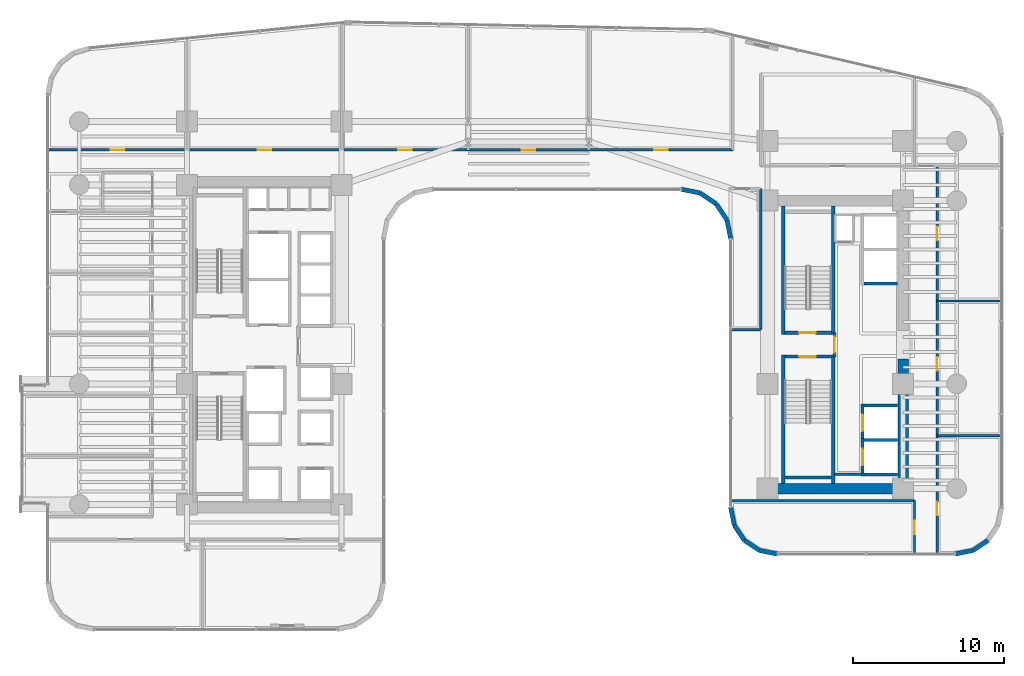
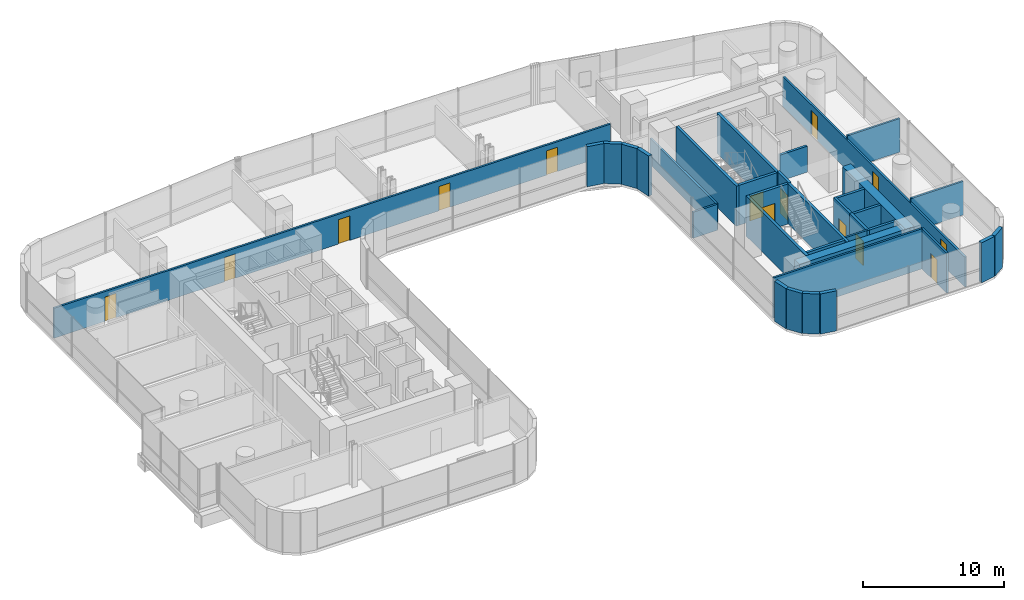
# One storey, part 32 of 39: 35 walls, 14 doors, 14 openings.
"""IFC4 building model written with IfcOpenShell, lengths in metres."""

from ifc_helpers import new_model, si_unit, direction, frame, frame_2d, origin, place, context, subcontext, project, spatial, rectangle, extrude, material, layer, layer_set, type_object, element, fill, save


model = new_model("IFC4")

# Units and contexts
model_context = context("Model", 3, precision=1e-05, world=origin(), true_north=direction((0.0, 1.0)))
body_context = subcontext(model_context, "Body", "Model", "MODEL_VIEW")
ifc_project = project(units=[si_unit("LENGTHUNIT", "METRE"), si_unit("AREAUNIT", "SQUARE_METRE"), si_unit("VOLUMEUNIT", "CUBIC_METRE"), si_unit("PLANEANGLEUNIT", "RADIAN"), si_unit("MASSUNIT", "GRAM", prefix="KILO")], contexts=[model_context])

# Site, building, storey
site_placement = place(None, origin())
site = spatial("IfcSite", under=ifc_project, at=site_placement, CompositionType="ELEMENT")
building_placement = place(site_placement, origin())
building = spatial("IfcBuilding", under=site, at=building_placement, Name="Valdorenza Pilgrim Sanctuary Tower", CompositionType="ELEMENT")
storey_placement = place(building_placement, frame((0.0, 0.0, 33.39990234375)))
storey = spatial("IfcBuildingStorey", under=building, at=storey_placement, Name="L07", CompositionType="ELEMENT", Elevation=33.39990234375)

# Wall
ifc_material_1 = material(Name="Acoustic twin-stud gypsum partition", Category="gypsum")
ifc_layer_1 = layer(ifc_material_1, 0.159912109375, Name="Acoustic twin-stud gypsum partition")
ifc_layer_set_1 = layer_set([ifc_layer_1], Name="Acoustic twin-stud gypsum partition")
wall_type_1 = type_object("IfcWallType", Name="WAL-COR-160", PredefinedType="PARTITIONING", material=ifc_layer_set_1)
wall_1_placement = place(storey_placement, frame((20.300048828125, -8.60009765625, 0.0), z_axis=(0.0, 0.0, 1.0), x_axis=(1.0, 0.0, 0.0)))
element("IfcWall", 1, at=wall_1_placement, inside=storey, type_object=wall_type_1, Name="L07 Core B Lift Hall South End Wall", PredefinedType="PARTITIONING", context=body_context, shape_type="SweptSolid", body=[
    extrude(rectangle(XDim=1.820068359375, YDim=0.159912109375, at=frame_2d((0.91015625, 0.0))), origin(), (0.0, 0.0, 1.0), 3.460205078125),
])

# Wall, openings, doors
wall_2_placement = place(storey_placement, frame((-31.889892578125, 12.919921875, 0.0), z_axis=(0.0, 0.0, 1.0), x_axis=(1.0, 0.0, 0.0)))
wall_2 = element("IfcWall", 2, at=wall_2_placement, inside=storey, type_object=wall_type_1, Name="L07 North Corridor Wall", PredefinedType="PARTITIONING", context=body_context, shape_type="SweptSolid", body=[
    extrude(rectangle(XDim=45.43994140625, YDim=0.159912109375, at=frame_2d((22.719970703125, 0.0))), origin(), (0.0, 0.0, 1.0), 2.5830078125),
])
opening_1_placement = place(wall_2_placement, frame((4.169921875, 0.0, 0.0)))
opening_1 = element("IfcOpeningElement", 3, at=opening_1_placement, cuts=wall_2, Name="Opening DR-RM1", PredefinedType="OPENING", context=body_context, shape_type="SweptSolid", body=[
    extrude(rectangle(XDim=0.89990234375, YDim=2.10009765625, at=frame_2d((0.449951171875, 1.050048828125))), frame((0.0, 0.0947265625, 0.0), z_axis=(0.0, -1.0, 0.0), x_axis=(1.0, 0.0, 0.0)), (0.0, 0.0, 1.0), 0.189697265625),
])
opening_2_placement = place(wall_2_placement, frame((13.9150390625, 0.0, 0.0)))
opening_2 = element("IfcOpeningElement", 4, at=opening_2_placement, cuts=wall_2, Name="Opening DR-RM1", PredefinedType="OPENING", context=body_context, shape_type="SweptSolid", body=[
    extrude(rectangle(XDim=0.89990234375, YDim=2.10009765625, at=frame_2d((0.449951171875, 1.050048828125))), frame((0.0, 0.0947265625, 0.0), z_axis=(0.0, -1.0, 0.0), x_axis=(1.0, 0.0, 0.0)), (0.0, 0.0, 1.0), 0.189697265625),
])
opening_3_placement = place(wall_2_placement, frame((23.239990234375, 0.0, 0.0)))
opening_3 = element("IfcOpeningElement", 5, at=opening_3_placement, cuts=wall_2, Name="Opening DR-RM1", PredefinedType="OPENING", context=body_context, shape_type="SweptSolid", body=[
    extrude(rectangle(XDim=0.89990234375, YDim=2.10009765625, at=frame_2d((0.449951171875, 1.050048828125))), frame((0.0, 0.0947265625, 0.0), z_axis=(0.0, -1.0, 0.0), x_axis=(1.0, 0.0, 0.0)), (0.0, 0.0, 1.0), 0.189697265625),
])
opening_4_placement = place(wall_2_placement, frame((31.43994140625, 0.0, 0.0)))
opening_4 = element("IfcOpeningElement", 6, at=opening_4_placement, cuts=wall_2, Name="Opening DR-RM1", PredefinedType="OPENING", context=body_context, shape_type="SweptSolid", body=[
    extrude(rectangle(XDim=0.89990234375, YDim=2.10009765625, at=frame_2d((0.449951171875, 1.050048828125))), frame((0.0, 0.0947265625, 0.0), z_axis=(0.0, -1.0, 0.0), x_axis=(1.0, 0.0, 0.0)), (0.0, 0.0, 1.0), 0.189697265625),
])
opening_5_placement = place(wall_2_placement, frame((40.215087890625, 0.0, 0.0)))
opening_5 = element("IfcOpeningElement", 7, at=opening_5_placement, cuts=wall_2, Name="Opening DR-RM1", PredefinedType="OPENING", context=body_context, shape_type="SweptSolid", body=[
    extrude(rectangle(XDim=0.89990234375, YDim=2.10009765625, at=frame_2d((0.449951171875, 1.050048828125))), frame((0.0, 0.0947265625, 0.0), z_axis=(0.0, -1.0, 0.0), x_axis=(1.0, 0.0, 0.0)), (0.0, 0.0, 1.0), 0.189697265625),
])
ifc_material_2 = material(Name="Solid-core European oak timber", Category="wood")
door_type_1 = type_object("IfcDoorType", Name="DR-ROOM-900", OperationType="NOTDEFINED", PredefinedType="DOOR", material=ifc_material_2)
door_1_placement = place(opening_1_placement, frame((0.89990234375, 0.0, 0.0), z_axis=(0.0, 0.0, 1.0), x_axis=(-1.0, 0.0, 0.0)))
door_1 = element("IfcDoor", 8, at=door_1_placement, inside=storey, type_object=door_type_1, Name="L07 Sanctuary Administration Office L07-N1 Door", OperationType="SINGLE_SWING_LEFT", OverallHeight=2.10009765625, OverallWidth=0.89990234375, PredefinedType="DOOR", context=body_context, shape_type="SweptSolid", body=[
    extrude(rectangle(XDim=0.89990234375, YDim=2.10009765625, at=frame_2d((0.449951171875, 1.050048828125))), frame((0.0, 0.02490234375, 0.0), z_axis=(0.0, -1.0, 0.0), x_axis=(1.0, 0.0, 0.0)), (0.0, 0.0, 1.0), 0.050048828125),
])
fill(opening_1, door_1)
door_2_placement = place(opening_2_placement, origin())
door_2 = element("IfcDoor", 9, at=door_2_placement, inside=storey, type_object=door_type_1, Name="L07 Sanctuary Administration Office L07-N2 Door", OperationType="SINGLE_SWING_RIGHT", OverallHeight=2.10009765625, OverallWidth=0.89990234375, PredefinedType="DOOR", context=body_context, shape_type="SweptSolid", body=[
    extrude(rectangle(XDim=0.89990234375, YDim=2.10009765625, at=frame_2d((0.449951171875, 1.050048828125))), frame((0.0, 0.02490234375, 0.0), z_axis=(0.0, -1.0, 0.0), x_axis=(1.0, 0.0, 0.0)), (0.0, 0.0, 1.0), 0.050048828125),
])
fill(opening_2, door_2)
door_3_placement = place(opening_3_placement, frame((0.89990234375, 0.0, 0.0), z_axis=(0.0, 0.0, 1.0), x_axis=(-1.0, 0.0, 0.0)))
door_3 = element("IfcDoor", 10, at=door_3_placement, inside=storey, type_object=door_type_1, Name="L07 Sanctuary Administration Office L07-N3 Door", OperationType="SINGLE_SWING_LEFT", OverallHeight=2.10009765625, OverallWidth=0.89990234375, PredefinedType="DOOR", context=body_context, shape_type="SweptSolid", body=[
    extrude(rectangle(XDim=0.89990234375, YDim=2.10009765625, at=frame_2d((0.449951171875, 1.050048828125))), frame((0.0, 0.02490234375, 0.0), z_axis=(0.0, -1.0, 0.0), x_axis=(1.0, 0.0, 0.0)), (0.0, 0.0, 1.0), 0.050048828125),
])
fill(opening_3, door_3)
door_4_placement = place(opening_4_placement, origin())
door_4 = element("IfcDoor", 11, at=door_4_placement, inside=storey, type_object=door_type_1, Name="L07 Sanctuary Administration Office L07-N4 Door", OperationType="SINGLE_SWING_RIGHT", OverallHeight=2.10009765625, OverallWidth=0.89990234375, PredefinedType="DOOR", context=body_context, shape_type="SweptSolid", body=[
    extrude(rectangle(XDim=0.89990234375, YDim=2.10009765625, at=frame_2d((0.449951171875, 1.050048828125))), frame((0.0, 0.02490234375, 0.0), z_axis=(0.0, -1.0, 0.0), x_axis=(1.0, 0.0, 0.0)), (0.0, 0.0, 1.0), 0.050048828125),
])
fill(opening_4, door_4)
door_5_placement = place(opening_5_placement, frame((0.89990234375, 0.0, 0.0), z_axis=(0.0, 0.0, 1.0), x_axis=(-1.0, 0.0, 0.0)))
door_5 = element("IfcDoor", 12, at=door_5_placement, inside=storey, type_object=door_type_1, Name="L07 Sanctuary Administration Office L07-N5 Door", OperationType="SINGLE_SWING_LEFT", OverallHeight=2.10009765625, OverallWidth=0.89990234375, PredefinedType="DOOR", context=body_context, shape_type="SweptSolid", body=[
    extrude(rectangle(XDim=0.89990234375, YDim=2.10009765625, at=frame_2d((0.449951171875, 1.050048828125))), frame((0.0, 0.02490234375, 0.0), z_axis=(0.0, -1.0, 0.0), x_axis=(1.0, 0.0, 0.0)), (0.0, 0.0, 1.0), 0.050048828125),
])
fill(opening_5, door_5)

# Wall, opening, door
wall_3_placement = place(storey_placement, frame((25.60009765625, -13.889892578125, 0.0), z_axis=(0.0, 0.0, 1.0), x_axis=(0.0, 1.0, 0.0)))
wall_3 = element("IfcWall", 13, at=wall_3_placement, inside=storey, type_object=wall_type_1, Name="L07 Wing B South-East Corridor Wall", PredefinedType="PARTITIONING", context=body_context, shape_type="SweptSolid", body=[
    extrude(rectangle(XDim=3.539794921875, YDim=0.159912109375, at=frame_2d((1.77001953125, 0.0))), origin(), (0.0, 0.0, 1.0), 3.460205078125),
])
opening_6_placement = place(wall_3_placement, frame((1.320068359375, 0.0, 0.0)))
opening_6 = element("IfcOpeningElement", 14, at=opening_6_placement, cuts=wall_3, Name="Opening DR-RM1", PredefinedType="OPENING", context=body_context, shape_type="SweptSolid", body=[
    extrude(rectangle(XDim=0.89990234375, YDim=2.10009765625, at=frame_2d((0.449951171875, 1.050048828125))), frame((0.0, 0.0947265625, 0.0), z_axis=(0.0, -1.0, 0.0), x_axis=(1.0, 0.0, 0.0)), (0.0, 0.0, 1.0), 0.189697265625),
])
door_6_placement = place(opening_6_placement, frame((0.89990234375, 0.0, 0.0), z_axis=(0.0, 0.0, 1.0), x_axis=(-1.0, 0.0, 0.0)))
door_6 = element("IfcDoor", 15, at=door_6_placement, inside=storey, type_object=door_type_1, Name="L07 Theological Reference Library L07-BS Door", OperationType="SINGLE_SWING_LEFT", OverallHeight=2.10009765625, OverallWidth=0.89990234375, PredefinedType="DOOR", context=body_context, shape_type="SweptSolid", body=[
    extrude(rectangle(XDim=0.89990234375, YDim=2.10009765625, at=frame_2d((0.449951171875, 1.050048828125))), frame((0.0, 0.02490234375, 0.0), z_axis=(0.0, -1.0, 0.0), x_axis=(1.0, 0.0, 0.0)), (0.0, 0.0, 1.0), 0.050048828125),
])
fill(opening_6, door_6)

# Wall
wall_4_placement = place(storey_placement, frame((13.409912109375, -10.35009765625, 0.0), z_axis=(0.0, 0.0, 1.0), x_axis=(1.0, 0.0, 0.0)))
element("IfcWall", 16, at=wall_4_placement, inside=storey, type_object=wall_type_1, Name="L07 Wing B South North Wall", PredefinedType="PARTITIONING", context=body_context, shape_type="SweptSolid", body=[
    extrude(rectangle(XDim=12.190185546875, YDim=0.159912109375, at=frame_2d((6.09521484375, 0.0))), origin(), (0.0, 0.0, 1.0), 3.460205078125),
])

# Wall, openings, doors
wall_5_placement = place(storey_placement, frame((27.10009765625, -13.889892578125, 0.0), z_axis=(0.0, 0.0, 1.0), x_axis=(0.0, 1.0, 0.0)))
wall_5 = element("IfcWall", 17, at=wall_5_placement, inside=storey, type_object=wall_type_1, Name="L07 Wing B East Corridor Wall", PredefinedType="PARTITIONING", context=body_context, shape_type="SweptSolid", body=[
    extrude(rectangle(XDim=25.739990234375, YDim=0.159912109375, at=frame_2d((12.8701171875, 0.0))), origin(), (0.0, 0.0, 1.0), 2.5830078125),
])
opening_7_placement = place(wall_5_placement, frame((2.56005859375, 0.0, 0.0)))
opening_7 = element("IfcOpeningElement", 18, at=opening_7_placement, cuts=wall_5, Name="Opening DR-RM1", PredefinedType="OPENING", context=body_context, shape_type="SweptSolid", body=[
    extrude(rectangle(XDim=0.89990234375, YDim=2.10009765625, at=frame_2d((0.449951171875, 1.050048828125))), frame((0.0, 0.0947265625, 0.0), z_axis=(0.0, -1.0, 0.0), x_axis=(1.0, 0.0, 0.0)), (0.0, 0.0, 1.0), 0.189697265625),
])
opening_8_placement = place(wall_5_placement, frame((12.159912109375, 0.0, 0.0)))
opening_8 = element("IfcOpeningElement", 19, at=opening_8_placement, cuts=wall_5, Name="Opening DR-RM1", PredefinedType="OPENING", context=body_context, shape_type="SweptSolid", body=[
    extrude(rectangle(XDim=0.89990234375, YDim=2.10009765625, at=frame_2d((0.449951171875, 1.050048828125))), frame((0.0, 0.0947265625, 0.0), z_axis=(0.0, -1.0, 0.0), x_axis=(1.0, 0.0, 0.0)), (0.0, 0.0, 1.0), 0.189697265625),
])
opening_9_placement = place(wall_5_placement, frame((20.81494140625, 0.0, 0.0)))
opening_9 = element("IfcOpeningElement", 20, at=opening_9_placement, cuts=wall_5, Name="Opening DR-RM1", PredefinedType="OPENING", context=body_context, shape_type="SweptSolid", body=[
    extrude(rectangle(XDim=0.89990234375, YDim=2.10009765625, at=frame_2d((0.449951171875, 1.050048828125))), frame((0.0, 0.0947265625, 0.0), z_axis=(0.0, -1.0, 0.0), x_axis=(1.0, 0.0, 0.0)), (0.0, 0.0, 1.0), 0.189697265625),
])
door_7_placement = place(opening_7_placement, frame((0.89990234375, 0.0, 0.0), z_axis=(0.0, 0.0, 1.0), x_axis=(-1.0, 0.0, 0.0)))
door_7 = element("IfcDoor", 21, at=door_7_placement, inside=storey, type_object=door_type_1, Name="L07 Open Plan Scholar Office L07-EB1 Door", OperationType="SINGLE_SWING_LEFT", OverallHeight=2.10009765625, OverallWidth=0.89990234375, PredefinedType="DOOR", context=body_context, shape_type="SweptSolid", body=[
    extrude(rectangle(XDim=0.89990234375, YDim=2.10009765625, at=frame_2d((0.449951171875, 1.050048828125))), frame((0.0, 0.02490234375, 0.0), z_axis=(0.0, -1.0, 0.0), x_axis=(1.0, 0.0, 0.0)), (0.0, 0.0, 1.0), 0.050048828125),
])
fill(opening_7, door_7)
door_8_placement = place(opening_8_placement, origin())
door_8 = element("IfcDoor", 22, at=door_8_placement, inside=storey, type_object=door_type_1, Name="L07 Open Plan Scholar Office L07-EB2 Door", OperationType="SINGLE_SWING_RIGHT", OverallHeight=2.10009765625, OverallWidth=0.89990234375, PredefinedType="DOOR", context=body_context, shape_type="SweptSolid", body=[
    extrude(rectangle(XDim=0.89990234375, YDim=2.10009765625, at=frame_2d((0.449951171875, 1.050048828125))), frame((0.0, 0.02490234375, 0.0), z_axis=(0.0, -1.0, 0.0), x_axis=(1.0, 0.0, 0.0)), (0.0, 0.0, 1.0), 0.050048828125),
])
fill(opening_8, door_8)
door_9_placement = place(opening_9_placement, frame((0.89990234375, 0.0, 0.0), z_axis=(0.0, 0.0, 1.0), x_axis=(-1.0, 0.0, 0.0)))
door_9 = element("IfcDoor", 23, at=door_9_placement, inside=storey, type_object=door_type_1, Name="L07 Open Plan Scholar Office L07-EB3 Door", OperationType="SINGLE_SWING_LEFT", OverallHeight=2.10009765625, OverallWidth=0.89990234375, PredefinedType="DOOR", context=body_context, shape_type="SweptSolid", body=[
    extrude(rectangle(XDim=0.89990234375, YDim=2.10009765625, at=frame_2d((0.449951171875, 1.050048828125))), frame((0.0, 0.02490234375, 0.0), z_axis=(0.0, -1.0, 0.0), x_axis=(1.0, 0.0, 0.0)), (0.0, 0.0, 1.0), 0.050048828125),
])
fill(opening_9, door_9)

# Walls
wall_6_placement = place(storey_placement, frame((15.39990234375, 1.0, 0.0), z_axis=(0.0, 0.0, 1.0), x_axis=(0.0, 1.0, 0.0)))
element("IfcWall", 24, at=wall_6_placement, inside=storey, type_object=wall_type_1, Name="L07 Courtyard Overlook East Wall", PredefinedType="PARTITIONING", context=body_context, shape_type="SweptSolid", body=[
    extrude(rectangle(XDim=9.35009765625, YDim=0.159912109375, at=frame_2d((4.675048828125, 0.0))), origin(), (0.0, 0.0, 1.0), 2.2451171875),
])
wall_7_placement = place(storey_placement, frame((13.409912109375, 1.0, 0.0), z_axis=(0.0, 0.0, 1.0), x_axis=(1.0, 0.0, 0.0)))
element("IfcWall", 25, at=wall_7_placement, inside=storey, type_object=wall_type_1, Name="L07 Courtyard Overlook South Wall", PredefinedType="PARTITIONING", context=body_context, shape_type="SweptSolid", body=[
    extrude(rectangle(XDim=1.989990234375, YDim=0.159912109375, at=frame_2d((0.9951171875, 0.0))), origin(), (0.0, 0.0, 1.0), 2.2451171875),
])
ifc_material_3 = material(Name="Concrete C60/75", Category="concrete")
ifc_layer_2 = layer(ifc_material_3, 0.699951171875, Name="Concrete C60/75")
ifc_layer_set_2 = layer_set([ifc_layer_2], Name="Concrete C60/75")
wall_type_2 = type_object("IfcWallType", Name="WAL-COR-700", PredefinedType="SHEAR", material=ifc_layer_set_2)
wall_8_placement = place(storey_placement, frame((24.85009765625, -9.89990234375, 0.0), z_axis=(0.0, 0.0, 1.0), x_axis=(0.0, 1.0, 0.0)))
element("IfcWall", 26, at=wall_8_placement, inside=storey, type_object=wall_type_2, Name="L07 Split Core B Shear Wall ES", PredefinedType="SHEAR", context=body_context, shape_type="SweptSolid", body=[
    extrude(rectangle(XDim=8.949951171875, YDim=0.699951171875, at=frame_2d((4.47509765625, 0.0))), origin(), (0.0, 0.0, 1.0), 3.460205078125),
])
wall_9_placement = place(storey_placement, frame((15.85009765625, -9.550048828125, 0.0), z_axis=(0.0, 0.0, 1.0), x_axis=(1.0, 0.0, 0.0)))
element("IfcWall", 27, at=wall_9_placement, inside=storey, type_object=wall_type_2, Name="L07 Split Core B Shear Wall S", PredefinedType="SHEAR", context=body_context, shape_type="SweptSolid", body=[
    extrude(rectangle(XDim=9.0, YDim=0.699951171875, at=frame_2d((4.5, 0.0))), origin(), (0.0, 0.0, 1.0), 3.460205078125),
])
ifc_material_4 = material(Name="Honed travertine limestone", Category="masonry")
ifc_layer_3 = layer(ifc_material_4, 0.300048828125, Name="Honed travertine limestone")
ifc_layer_set_3 = layer_set([ifc_layer_3], Name="Honed travertine limestone")
wall_type_3 = type_object("IfcWallType", Name="WAL-EXT-300", PredefinedType="SOLIDWALL", material=ifc_layer_set_3)
wall_10_placement = place(storey_placement, frame((30.4833984375, -12.9833984375, 0.0), z_axis=(0.0, 0.0, 1.0), x_axis=(-0.831426265255, -0.555635100982, 0.0)))
element("IfcWall", 28, at=wall_10_placement, inside=storey, type_object=wall_type_3, Name="L07 Rounded Wind-Corner Stone Pier 24", PredefinedType="SOLIDWALL", context=body_context, shape_type="SweptSolid", body=[
    extrude(rectangle(XDim=1.204833984375, YDim=0.300048828125, at=frame_2d((0.6025390625, 0.0))), origin(), (0.0, 0.0, 1.0), 3.460205078125),
])
for number, where, z_axis, x_axis, name in (
    (29, (29.481689453125, -13.65283203125, 0.0), (0.0, 0.0, 1.0), (-0.980804027463, -0.194996050505, 0.0), "L07 Rounded Wind-Corner Stone Pier 25"),
    (30, (16.5107421875, -13.889892578125, 0.0), (0.0, 0.0, 1.0), (-0.980804027463, 0.194996050505, 0.0), "L07 Rounded Wind-Corner Stone Pier 27"),
):
    element("IfcWall", number, at=place(storey_placement, frame(where, z_axis=z_axis, x_axis=x_axis)), inside=storey, type_object=wall_type_3, Name=name, PredefinedType="SOLIDWALL", context=body_context, shape_type="SweptSolid", body=[
        extrude(rectangle(XDim=1.2158203125, YDim=0.300048828125, at=frame_2d((0.60791015625, 0.0))), origin(), (0.0, 0.0, 1.0), 3.460205078125),
    ])
for number, where, z_axis, x_axis, name in (
    (31, (15.318359375, -13.65283203125, 0.0), (0.0, 0.0, 1.0), (-0.831426265255, 0.555635100982, 0.0), "L07 Rounded Wind-Corner Stone Pier 28"),
    (32, (14.316650390625, -12.9833984375, 0.0), (0.0, 0.0, 1.0), (-0.555635100982, 0.831426265255, 0.0), "L07 Rounded Wind-Corner Stone Pier 29"),
):
    element("IfcWall", number, at=place(storey_placement, frame(where, z_axis=z_axis, x_axis=x_axis)), inside=storey, type_object=wall_type_3, Name=name, PredefinedType="SOLIDWALL", context=body_context, shape_type="SweptSolid", body=[
        extrude(rectangle(XDim=1.204833984375, YDim=0.300048828125, at=frame_2d((0.6025390625, 0.0))), origin(), (0.0, 0.0, 1.0), 3.460205078125),
    ])
wall_11_placement = place(storey_placement, frame((13.647216796875, -11.981689453125, 0.0), z_axis=(0.0, 0.0, 1.0), x_axis=(-0.195189223115, 0.980765602568, 0.0)))
element("IfcWall", 33, at=wall_11_placement, inside=storey, type_object=wall_type_3, Name="L07 Rounded Wind-Corner Stone Pier 30", PredefinedType="SOLIDWALL", context=body_context, shape_type="SweptSolid", body=[
    extrude(rectangle(XDim=1.2158203125, YDim=0.300048828125, at=frame_2d((0.60791015625, 0.0))), origin(), (0.0, 0.0, 1.0), 3.460205078125),
])
wall_12_placement = place(storey_placement, frame((13.409912109375, 7.0107421875, 0.0), z_axis=(0.0, 0.0, 1.0), x_axis=(-0.195090163074, 0.980785312019, 0.0)))
element("IfcWall", 34, at=wall_12_placement, inside=storey, type_object=wall_type_3, Name="L07 Rounded Wind-Corner Stone Pier 32", PredefinedType="SOLIDWALL", context=body_context, shape_type="SweptSolid", body=[
    extrude(rectangle(XDim=1.281494140625, YDim=0.300048828125, at=frame_2d((0.640625, 0.0))), origin(), (0.0, 0.0, 1.0), 3.460205078125),
])
for number, where, z_axis, x_axis, name in (
    (35, (13.159912109375, 8.267578125, 0.0), (0.0, 0.0, 1.0), (-0.555615398575, 0.831439431869, 0.0), "L07 Rounded Wind-Corner Stone Pier 33"),
    (36, (12.44189453125, 9.342041015625, 0.0), (0.0, 0.0, 1.0), (-0.831439431869, 0.555615398575, 0.0), "L07 Rounded Wind-Corner Stone Pier 34"),
):
    element("IfcWall", number, at=place(storey_placement, frame(where, z_axis=z_axis, x_axis=x_axis)), inside=storey, type_object=wall_type_3, Name=name, PredefinedType="SOLIDWALL", context=body_context, shape_type="SweptSolid", body=[
        extrude(rectangle(XDim=1.292236328125, YDim=0.300048828125, at=frame_2d((0.64599609375, 0.0))), origin(), (0.0, 0.0, 1.0), 3.460205078125),
    ])
wall_13_placement = place(storey_placement, frame((11.367431640625, 10.06005859375, 0.0), z_axis=(0.0, 0.0, 1.0), x_axis=(-0.980778058848, 0.195126623715, 0.0)))
element("IfcWall", 37, at=wall_13_placement, inside=storey, type_object=wall_type_3, Name="L07 Rounded Wind-Corner Stone Pier 35", PredefinedType="SOLIDWALL", context=body_context, shape_type="SweptSolid", body=[
    extrude(rectangle(XDim=1.28125, YDim=0.300048828125, at=frame_2d((0.640625, 0.0))), origin(), (0.0, 0.0, 1.0), 3.460205078125),
])

# Wall, opening, door
ifc_material_5 = material(Name="Gypsum shaftwall partition", Category="gypsum")
ifc_layer_4 = layer(ifc_material_5, 0.199951171875, Name="Gypsum shaftwall partition")
ifc_layer_set_4 = layer_set([ifc_layer_4], Name="Gypsum shaftwall partition")
wall_type_4 = type_object("IfcWallType", Name="WAL-FFL-200", PredefinedType="PARTITIONING", material=ifc_layer_set_4)
wall_14_placement = place(storey_placement, frame((20.300048828125, -0.820068359375, 0.0), z_axis=(0.0, 0.0, 1.0), x_axis=(0.0, 1.0, 0.0)))
wall_14 = element("IfcWall", 38, at=wall_14_placement, inside=storey, type_object=wall_type_4, Name="L07 Core B Firefighting Lobby East Wall", PredefinedType="PARTITIONING", context=body_context, shape_type="SweptSolid", body=[
    extrude(rectangle(XDim=1.64013671875, YDim=0.199951171875, at=frame_2d((0.820068359375, 0.0))), origin(), (0.0, 0.0, 1.0), 3.460205078125),
])
opening_10_placement = place(wall_14_placement, frame((0.294921875, 0.0, 0.0)))
opening_10 = element("IfcOpeningElement", 39, at=opening_10_placement, cuts=wall_14, Name="Opening DR-FL1", PredefinedType="OPENING", context=body_context, shape_type="SweptSolid", body=[
    extrude(rectangle(XDim=1.050048828125, YDim=2.14990234375, at=frame_2d((0.52490234375, 1.074951171875))), frame((0.0, 0.11474609375, 0.0), z_axis=(0.0, -1.0, 0.0), x_axis=(1.0, 0.0, 0.0)), (0.0, 0.0, 1.0), 0.229736328125),
])
ifc_material_6 = material(Name="Painted galvanized steel", Category="steel")
door_type_2 = type_object("IfcDoorType", Name="DR-FFL-1050", OperationType="NOTDEFINED", PredefinedType="DOOR", material=ifc_material_6)
door_10_placement = place(opening_10_placement, frame((1.050048828125, 0.0, 0.0), z_axis=(0.0, 0.0, 1.0), x_axis=(-1.0, 0.0, 0.0)))
door_10 = element("IfcDoor", 40, at=door_10_placement, inside=storey, type_object=door_type_2, Name="L07 Core B Firefighting Lobby Door", OperationType="SINGLE_SWING_LEFT", OverallHeight=2.14990234375, OverallWidth=1.050048828125, PredefinedType="DOOR", context=body_context, shape_type="SweptSolid", body=[
    extrude(rectangle(XDim=1.050048828125, YDim=2.14990234375, at=frame_2d((0.52490234375, 1.074951171875))), frame((0.0, 0.02490234375, 0.0), z_axis=(0.0, -1.0, 0.0), x_axis=(1.0, 0.0, 0.0)), (0.0, 0.0, 1.0), 0.050048828125),
])
fill(opening_10, door_10)

ifc_material_7 = material(Name="Autoclaved aerated concrete blockwork", Category="masonry")
ifc_layer_5 = layer(ifc_material_7, 0.199951171875, Name="Autoclaved aerated concrete blockwork")
ifc_layer_set_5 = layer_set([ifc_layer_5], Name="Autoclaved aerated concrete blockwork")
wall_type_5 = type_object("IfcWallType", Name="WAL-SHF-200", PredefinedType="MOVABLE", material=ifc_layer_set_5)
wall_15_placement = place(storey_placement, frame((22.14990234375, -8.699951171875, 0.0), z_axis=(0.0, 0.0, 1.0), x_axis=(0.0, 1.0, 0.0)))
wall_15 = element("IfcWall", 41, at=wall_15_placement, inside=storey, type_object=wall_type_5, Name="L07 Lift PL-03 Hoistway Wall West", PredefinedType="MOVABLE", context=body_context, shape_type="SweptSolid", body=[
    extrude(rectangle(XDim=2.474853515625, YDim=0.199951171875, at=frame_2d((1.2373046875, 0.0))), origin(), (0.0, 0.0, 1.0), 3.460205078125),
])
opening_11_placement = place(wall_15_placement, frame((0.6875, 0.0, 0.0)))
opening_11 = element("IfcOpeningElement", 42, at=opening_11_placement, cuts=wall_15, Name="Opening LD-01", PredefinedType="OPENING", context=body_context, shape_type="SweptSolid", body=[
    extrude(rectangle(XDim=1.10009765625, YDim=2.10009765625, at=frame_2d((0.550048828125, 1.050048828125))), frame((0.0, 0.11474609375, 0.0), z_axis=(0.0, -1.0, 0.0), x_axis=(1.0, 0.0, 0.0)), (0.0, 0.0, 1.0), 0.229736328125),
])
ifc_material_8 = material(Name="Brushed stainless steel Grade 316", Category="steel")
door_type_3 = type_object("IfcDoorType", Name="DR-LFT-1100", OperationType="DOUBLE_DOOR_SLIDING", PredefinedType="DOOR", material=ifc_material_8)
door_11_placement = place(opening_11_placement, origin())
door_11 = element("IfcDoor", 43, at=door_11_placement, inside=storey, type_object=door_type_3, Name="L07 Lift PL-03 Sliding Landing Door", OperationType="DOUBLE_DOOR_SLIDING", OverallHeight=2.10009765625, OverallWidth=1.10009765625, PredefinedType="DOOR", context=body_context, shape_type="SweptSolid", body=[
    extrude(rectangle(XDim=1.10009765625, YDim=2.10009765625, at=frame_2d((0.550048828125, 1.050048828125))), frame((0.0, 0.02490234375, 0.0), z_axis=(0.0, -1.0, 0.0), x_axis=(1.0, 0.0, 0.0)), (0.0, 0.0, 1.0), 0.050048828125),
])
fill(opening_11, door_11)

# Walls
for number, where, z_axis, x_axis, name in (
    (44, (22.25, -8.60009765625, 0.0), (0.0, 0.0, 1.0), (1.0, 0.0, 0.0), "L07 Lift PL-03 Hoistway Wall South"),
    (45, (22.25, -6.324951171875, 0.0), (0.0, 0.0, 1.0), (1.0, 0.0, 0.0), "L07 Lift PL-03 Hoistway Wall North"),
):
    element("IfcWall", number, at=place(storey_placement, frame(where, z_axis=z_axis, x_axis=x_axis)), inside=storey, type_object=wall_type_5, Name=name, PredefinedType="MOVABLE", context=body_context, shape_type="SweptSolid", body=[
        extrude(rectangle(XDim=2.22998046875, YDim=0.199951171875, at=frame_2d((1.114990234375, 0.0))), origin(), (0.0, 0.0, 1.0), 3.460205078125),
    ])

# Wall, opening, door
wall_16_placement = place(storey_placement, frame((22.14990234375, -6.425048828125, 0.0), z_axis=(0.0, 0.0, 1.0), x_axis=(0.0, 1.0, 0.0)))
wall_16 = element("IfcWall", 46, at=wall_16_placement, inside=storey, type_object=wall_type_5, Name="L07 Lift PL-04 Hoistway Wall West", PredefinedType="MOVABLE", context=body_context, shape_type="SweptSolid", body=[
    extrude(rectangle(XDim=2.47509765625, YDim=0.199951171875, at=frame_2d((1.237548828125, 0.0))), origin(), (0.0, 0.0, 1.0), 3.460205078125),
])
opening_12_placement = place(wall_16_placement, frame((0.6875, 0.0, 0.0)))
opening_12 = element("IfcOpeningElement", 47, at=opening_12_placement, cuts=wall_16, Name="Opening LD-01", PredefinedType="OPENING", context=body_context, shape_type="SweptSolid", body=[
    extrude(rectangle(XDim=1.10009765625, YDim=2.10009765625, at=frame_2d((0.550048828125, 1.050048828125))), frame((0.0, 0.11474609375, 0.0), z_axis=(0.0, -1.0, 0.0), x_axis=(1.0, 0.0, 0.0)), (0.0, 0.0, 1.0), 0.229736328125),
])
door_12_placement = place(opening_12_placement, origin())
door_12 = element("IfcDoor", 48, at=door_12_placement, inside=storey, type_object=door_type_3, Name="L07 Lift PL-04 Sliding Landing Door", OperationType="DOUBLE_DOOR_SLIDING", OverallHeight=2.10009765625, OverallWidth=1.10009765625, PredefinedType="DOOR", context=body_context, shape_type="SweptSolid", body=[
    extrude(rectangle(XDim=1.10009765625, YDim=2.10009765625, at=frame_2d((0.550048828125, 1.050048828125))), frame((0.0, 0.02490234375, 0.0), z_axis=(0.0, -1.0, 0.0), x_axis=(1.0, 0.0, 0.0)), (0.0, 0.0, 1.0), 0.050048828125),
])
fill(opening_12, door_12)

# Walls
wall_17_placement = place(storey_placement, frame((22.25, -4.050048828125, 0.0), z_axis=(0.0, 0.0, 1.0), x_axis=(1.0, 0.0, 0.0)))
element("IfcWall", 49, at=wall_17_placement, inside=storey, type_object=wall_type_5, Name="L07 Lift PL-04 Hoistway Wall North", PredefinedType="MOVABLE", context=body_context, shape_type="SweptSolid", body=[
    extrude(rectangle(XDim=2.22998046875, YDim=0.199951171875, at=frame_2d((1.114990234375, 0.0))), origin(), (0.0, 0.0, 1.0), 3.460205078125),
])
wall_18_placement = place(storey_placement, frame((22.25, 4.050048828125, 0.0), z_axis=(0.0, 0.0, 1.0), x_axis=(1.0, 0.0, 0.0)))
element("IfcWall", 50, at=wall_18_placement, inside=storey, type_object=wall_type_5, Name="L07 Lift PL-07 Hoistway Wall South", PredefinedType="MOVABLE", context=body_context, shape_type="SweptSolid", body=[
    extrude(rectangle(XDim=2.22998046875, YDim=0.199951171875, at=frame_2d((1.114990234375, 0.0))), origin(), (0.0, 0.0, 1.0), 2.2451171875),
])
ifc_material_9 = material(Name="Concrete C40/50", Category="concrete")
ifc_layer_6 = layer(ifc_material_9, 0.219970703125, Name="Concrete C40/50")
ifc_layer_set_6 = layer_set([ifc_layer_6], Name="Concrete C40/50")
wall_type_6 = type_object("IfcWallType", Name="WAL-STR-SHF-220", PredefinedType="SHEAR", material=ifc_layer_set_6)
for number, where, z_axis, x_axis, name in (
    (51, (16.889892578125, 0.679931640625, 0.0), (0.0, 0.0, 1.0), (0.0, 1.0, 0.0), "L07 ST-B1 Structural Stairwell Wall W"),
    (52, (20.219970703125, 0.679931640625, 0.0), (0.0, 0.0, 1.0), (0.0, 1.0, 0.0), "L07 ST-B1 Structural Stairwell Wall E"),
):
    element("IfcWall", number, at=place(storey_placement, frame(where, z_axis=z_axis, x_axis=x_axis)), inside=storey, type_object=wall_type_6, Name=name, PredefinedType="SHEAR", context=body_context, shape_type="SweptSolid", body=[
        extrude(rectangle(XDim=8.52001953125, YDim=0.219970703125, at=frame_2d((4.260009765625, 0.0))), origin(), (0.0, 0.0, 1.0), 3.460205078125),
    ])

# Wall, opening, door
wall_19_placement = place(storey_placement, frame((17.0, 0.7900390625, 0.0), z_axis=(0.0, 0.0, 1.0), x_axis=(1.0, 0.0, 0.0)))
wall_19 = element("IfcWall", 53, at=wall_19_placement, inside=storey, type_object=wall_type_6, Name="L07 ST-B1 Structural Stairwell Wall S", PredefinedType="SHEAR", context=body_context, shape_type="SweptSolid", body=[
    extrude(rectangle(XDim=3.110107421875, YDim=0.219970703125, at=frame_2d((1.55517578125, 0.0))), origin(), (0.0, 0.0, 1.0), 3.460205078125),
])
opening_13_placement = place(wall_19_placement, frame((0.949951171875, 0.0, 0.0)))
opening_13 = element("IfcOpeningElement", 54, at=opening_13_placement, cuts=wall_19, Name="Opening DR-ST1", PredefinedType="OPENING", context=body_context, shape_type="SweptSolid", body=[
    extrude(rectangle(XDim=1.10009765625, YDim=2.14990234375, at=frame_2d((0.550048828125, 1.074951171875))), frame((0.0, 0.125, 0.0), z_axis=(0.0, -1.0, 0.0), x_axis=(1.0, 0.0, 0.0)), (0.0, 0.0, 1.0), 0.249755859375),
])
door_type_4 = type_object("IfcDoorType", Name="DR-STAIR-1100", OperationType="NOTDEFINED", PredefinedType="DOOR", material=ifc_material_6)
door_13_placement = place(opening_13_placement, origin())
door_13 = element("IfcDoor", 55, at=door_13_placement, inside=storey, type_object=door_type_4, Name="L07 Exit Stair ST-B1 Door", OperationType="SINGLE_SWING_RIGHT", OverallHeight=2.14990234375, OverallWidth=1.10009765625, PredefinedType="DOOR", context=body_context, shape_type="SweptSolid", body=[
    extrude(rectangle(XDim=1.10009765625, YDim=2.14990234375, at=frame_2d((0.550048828125, 1.074951171875))), frame((0.0, 0.02490234375, 0.0), z_axis=(0.0, -1.0, 0.0), x_axis=(1.0, 0.0, 0.0)), (0.0, 0.0, 1.0), 0.050048828125),
])
fill(opening_13, door_13)

# Walls
for number, where, z_axis, x_axis, name in (
    (56, (16.889892578125, -9.199951171875, 0.0), (0.0, 0.0, 1.0), (0.0, 1.0, 0.0), "L07 ST-B2 Structural Stairwell Wall W"),
    (57, (20.219970703125, -9.199951171875, 0.0), (0.0, 0.0, 1.0), (0.0, 1.0, 0.0), "L07 ST-B2 Structural Stairwell Wall E"),
):
    element("IfcWall", number, at=place(storey_placement, frame(where, z_axis=z_axis, x_axis=x_axis)), inside=storey, type_object=wall_type_6, Name=name, PredefinedType="SHEAR", context=body_context, shape_type="SweptSolid", body=[
        extrude(rectangle(XDim=8.52001953125, YDim=0.219970703125, at=frame_2d((4.260009765625, 0.0))), origin(), (0.0, 0.0, 1.0), 3.460205078125),
    ])
wall_20_placement = place(storey_placement, frame((17.0, -8.81005859375, 0.0), z_axis=(0.0, 0.0, 1.0), x_axis=(1.0, 0.0, 0.0)))
element("IfcWall", 58, at=wall_20_placement, inside=storey, type_object=wall_type_6, Name="L07 ST-B2 Structural Stairwell Wall S", PredefinedType="SHEAR", context=body_context, shape_type="SweptSolid", body=[
    extrude(rectangle(XDim=3.110107421875, YDim=0.219970703125, at=frame_2d((1.55517578125, 0.0))), origin(), (0.0, 0.0, 1.0), 3.460205078125),
])

# Wall, opening, door
wall_21_placement = place(storey_placement, frame((17.0, -0.7900390625, 0.0), z_axis=(0.0, 0.0, 1.0), x_axis=(1.0, 0.0, 0.0)))
wall_21 = element("IfcWall", 59, at=wall_21_placement, inside=storey, type_object=wall_type_6, Name="L07 ST-B2 Structural Stairwell Wall N", PredefinedType="SHEAR", context=body_context, shape_type="SweptSolid", body=[
    extrude(rectangle(XDim=3.110107421875, YDim=0.219970703125, at=frame_2d((1.55517578125, 0.0))), origin(), (0.0, 0.0, 1.0), 3.460205078125),
])
opening_14_placement = place(wall_21_placement, frame((0.949951171875, 0.0, 0.0)))
opening_14 = element("IfcOpeningElement", 60, at=opening_14_placement, cuts=wall_21, Name="Opening DR-ST1", PredefinedType="OPENING", context=body_context, shape_type="SweptSolid", body=[
    extrude(rectangle(XDim=1.10009765625, YDim=2.14990234375, at=frame_2d((0.550048828125, 1.074951171875))), frame((0.0, 0.125, 0.0), z_axis=(0.0, -1.0, 0.0), x_axis=(1.0, 0.0, 0.0)), (0.0, 0.0, 1.0), 0.249755859375),
])
door_14_placement = place(opening_14_placement, frame((1.10009765625, 0.0, 0.0), z_axis=(0.0, 0.0, 1.0), x_axis=(-1.0, 0.0, 0.0)))
door_14 = element("IfcDoor", 61, at=door_14_placement, inside=storey, type_object=door_type_4, Name="L07 Exit Stair ST-B2 Door", OperationType="SINGLE_SWING_LEFT", OverallHeight=2.14990234375, OverallWidth=1.10009765625, PredefinedType="DOOR", context=body_context, shape_type="SweptSolid", body=[
    extrude(rectangle(XDim=1.10009765625, YDim=2.14990234375, at=frame_2d((0.550048828125, 1.074951171875))), frame((0.0, 0.02490234375, 0.0), z_axis=(0.0, -1.0, 0.0), x_axis=(1.0, 0.0, 0.0)), (0.0, 0.0, 1.0), 0.050048828125),
])
fill(opening_14, door_14)

# Walls
ifc_layer_7 = layer(ifc_material_1, 0.14990234375, Name="Acoustic twin-stud gypsum partition")
ifc_layer_set_7 = layer_set([ifc_layer_7], Name="Acoustic twin-stud gypsum partition")
wall_type_7 = type_object("IfcWallType", Name="WAL-UNT-150", PredefinedType="PARTITIONING", material=ifc_layer_set_7)
for number, where, z_axis, x_axis, name in (
    (62, (27.10009765625, -6.050048828125, 0.0), (0.0, 0.0, 1.0), (1.0, 0.0, 0.0), "L07 Open Plan Scholar Office L07-EB2 Demising Wall"),
    (63, (27.10009765625, 2.89990234375, 0.0), (0.0, 0.0, 1.0), (1.0, 0.0, 0.0), "L07 Open Plan Scholar Office L07-EB3 Demising Wall"),
):
    element("IfcWall", number, at=place(storey_placement, frame(where, z_axis=z_axis, x_axis=x_axis)), inside=storey, type_object=wall_type_7, Name=name, PredefinedType="PARTITIONING", context=body_context, shape_type="SweptSolid", body=[
        extrude(rectangle(XDim=4.289794921875, YDim=0.14990234375, at=frame_2d((2.14501953125, 0.0))), origin(), (0.0, 0.0, 1.0), 2.89599609375),
    ])

save(model, "model.ifc")
